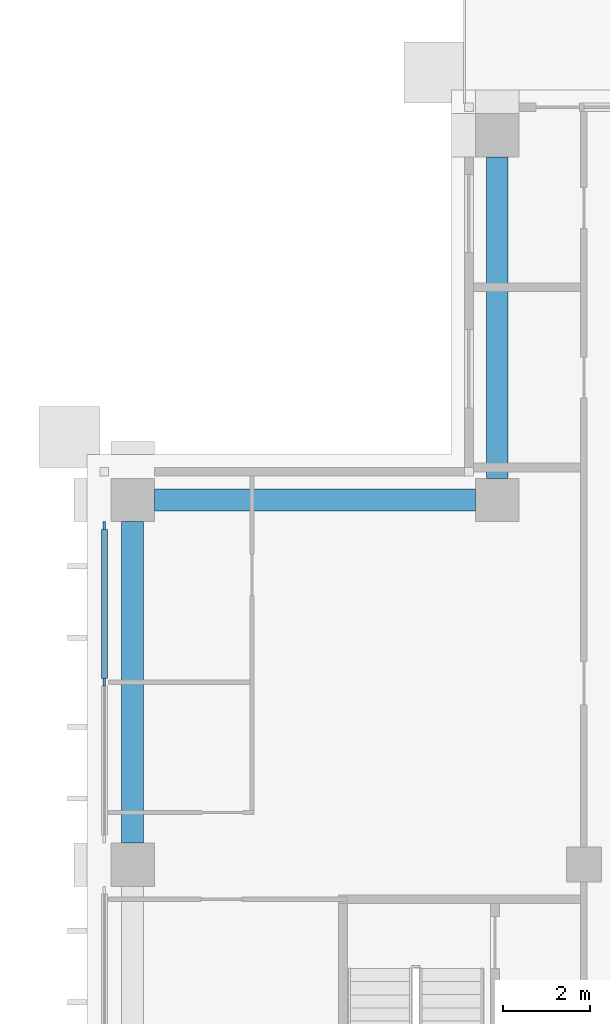
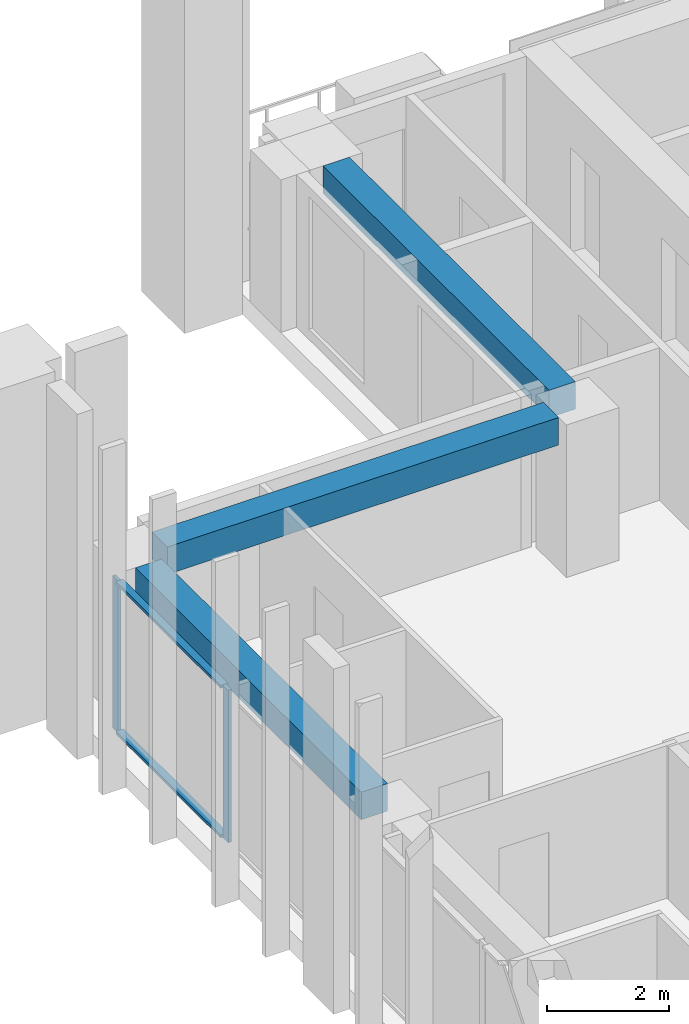
# One storey, part 5 of 18: 4 members, 3 beams, 1 element without a shape of its own.
"""IFC4 building model written with IfcOpenShell, lengths in metres."""

from ifc_helpers import new_model, si_unit, direction, frame, origin, origin_2d, place, context, subcontext, project, spatial, rectangle, extrude, material, material_profile, profile_set, type_object, element, aggregate, save


model = new_model("IFC4")

# Units and contexts
model_context = context("Model", 3, precision=1e-05, world=origin(), true_north=direction((0.0, 1.0)))
body_context = subcontext(model_context, "Body", "Model", "MODEL_VIEW")
ifc_project = project(units=[si_unit("LENGTHUNIT", "METRE"), si_unit("AREAUNIT", "SQUARE_METRE"), si_unit("VOLUMEUNIT", "CUBIC_METRE"), si_unit("PLANEANGLEUNIT", "RADIAN"), si_unit("MASSUNIT", "GRAM", prefix="KILO")], contexts=[model_context])

# Site, building, storey
site_placement = place(None, origin())
site = spatial("IfcSite", under=ifc_project, at=site_placement, CompositionType="ELEMENT")
building_placement = place(site_placement, origin())
building = spatial("IfcBuilding", under=site, at=building_placement, Name="Vermilion Ogive Tower", CompositionType="ELEMENT")
storey_placement = place(building_placement, frame((0.0, 0.0, 185.89990234375)))
storey = spatial("IfcBuildingStorey", under=building, at=storey_placement, Name="L48", CompositionType="ELEMENT", Elevation=185.89990234375)

# Curtain wall, members
ifc_material_1 = material(Name="Low-iron laminated glazing in aluminium frame", Category="aluminium")
curtain_wall_type = type_object("IfcCurtainWallType", Name="Curtain wall CW7", PredefinedType="NOTDEFINED", material=ifc_material_1)
curtain_wall_placement = place(storey_placement, origin())
curtain_wall = element("IfcCurtainWall", 1, at=curtain_wall_placement, inside=storey, type_object=curtain_wall_type, Name="Glazed skin W1", PredefinedType="NOTDEFINED")
ifc_material_2 = material(Name="Aluminium mullion", Category="aluminium")
ifc_material_profile_1 = material_profile(ifc_material_2, rectangle(XDim=0.06005859375, YDim=0.179931640625, at=origin_2d()), Name="AL 60x180")
ifc_profile_set_1 = profile_set([ifc_material_profile_1], Name="Aluminium mullion")
member_type_1 = type_object("IfcMemberType", Name="CW7 mullion 60x180", PredefinedType="MULLION", material=ifc_profile_set_1)
member_1_placement = place(storey_placement, frame((-25.85009765625, 12.010009765625, 0.0), z_axis=(0.0, 0.0, 1.0), x_axis=(1.0, 0.0, 0.0)))
member_1 = element("IfcMember", 2, at=member_1_placement, type_object=member_type_1, Name="CW7-W1 mullion 1", PredefinedType="MULLION", context=body_context, shape_type="SweptSolid", body=[
    extrude(rectangle(XDim=0.06005859375, YDim=0.179931640625, at=origin_2d()), origin(), (0.0, 0.0, 1.0), 3.050048828125),
])
member_2_placement = place(storey_placement, frame((-25.85009765625, 8.39990234375, 0.0), z_axis=(0.0, 0.0, 1.0), x_axis=(1.0, 0.0, 0.0)))
member_2 = element("IfcMember", 3, at=member_2_placement, type_object=member_type_1, Name="CW7-W1 mullion 2", PredefinedType="MULLION", context=body_context, shape_type="SweptSolid", body=[
    extrude(rectangle(XDim=0.06005859375, YDim=0.179931640625, at=origin_2d()), origin(), (0.0, 0.0, 1.0), 3.050048828125),
])
ifc_material_3 = material(Name="Aluminium transom", Category="aluminium")
ifc_material_profile_2 = material_profile(ifc_material_3, rectangle(XDim=0.139892578125, YDim=0.06005859375, at=origin_2d()), Name="AL 60x140")
ifc_profile_set_2 = profile_set([ifc_material_profile_2], Name="Aluminium transom")
member_type_2 = type_object("IfcMemberType", Name="CW7 transom 60x140", PredefinedType="USERDEFINED", material=ifc_profile_set_2)
member_3_placement = place(storey_placement, frame((-25.85009765625, 11.919921875, 0.030029296875), z_axis=(0.0, -1.0, 0.0), x_axis=(1.0, 0.0, 0.0)))
member_3 = element("IfcMember", 4, at=member_3_placement, type_object=member_type_2, Name="CW7-W1 transom 1.1", ObjectType="TRANSOM", PredefinedType="USERDEFINED", context=body_context, shape_type="SweptSolid", body=[
    extrude(rectangle(XDim=0.139892578125, YDim=0.06005859375, at=origin_2d()), origin(), (0.0, 0.0, 1.0), 3.429931640625),
])
member_4_placement = place(storey_placement, frame((-25.85009765625, 11.919921875, 3.02001953125), z_axis=(0.0, -1.0, 0.0), x_axis=(1.0, 0.0, 0.0)))
member_4 = element("IfcMember", 5, at=member_4_placement, type_object=member_type_2, Name="CW7-W1 transom 1.2", ObjectType="TRANSOM", PredefinedType="USERDEFINED", context=body_context, shape_type="SweptSolid", body=[
    extrude(rectangle(XDim=0.139892578125, YDim=0.06005859375, at=origin_2d()), origin(), (0.0, 0.0, 1.0), 3.429931640625),
])
aggregate(curtain_wall, [member_1, member_2, member_3, member_4])

# Beams
ifc_material_4 = material(Name="Concrete B45", Category="concrete")
ifc_material_profile_3 = material_profile(ifc_material_4, rectangle(XDim=0.5, YDim=0.550048828125, at=origin_2d()), Name="500 x 550")
ifc_profile_set_3 = profile_set([ifc_material_profile_3], Name="Concrete B45")
beam_type = type_object("IfcBeamType", Name="Edge beam 500 x 550 B45", PredefinedType="BEAM", material=ifc_profile_set_3)
for number, where, z_axis, x_axis, name in (
    (6, (-16.800048828125, 20.5, 2.775146484375), (0.0, -1.0, 0.0), (1.0, 0.0, 0.0), "L48-EB-12"),
    (7, (-17.300048828125, 12.60009765625, 2.775146484375), (-1.0, 0.0, 0.0), (0.0, -1.0, 0.0), "L48-EB-13"),
):
    element("IfcBeam", number, at=place(storey_placement, frame(where, z_axis=z_axis, x_axis=x_axis)), inside=storey, type_object=beam_type, Name=name, PredefinedType="BEAM", context=body_context, shape_type="SweptSolid", body=[
        extrude(rectangle(XDim=0.5, YDim=0.550048828125, at=origin_2d()), origin(), (0.0, 0.0, 1.0), 7.39990234375),
    ])
beam_placement = place(storey_placement, frame((-25.199951171875, 12.10009765625, 2.775146484375), z_axis=(0.0, -1.0, 0.0), x_axis=(1.0, 0.0, 0.0)))
element("IfcBeam", 8, at=beam_placement, inside=storey, type_object=beam_type, Name="L48-EB-14", PredefinedType="BEAM", context=body_context, shape_type="SweptSolid", body=[
    extrude(rectangle(XDim=0.5, YDim=0.550048828125, at=origin_2d()), origin(), (0.0, 0.0, 1.0), 7.400146484375),
])

save(model, "model.ifc")
